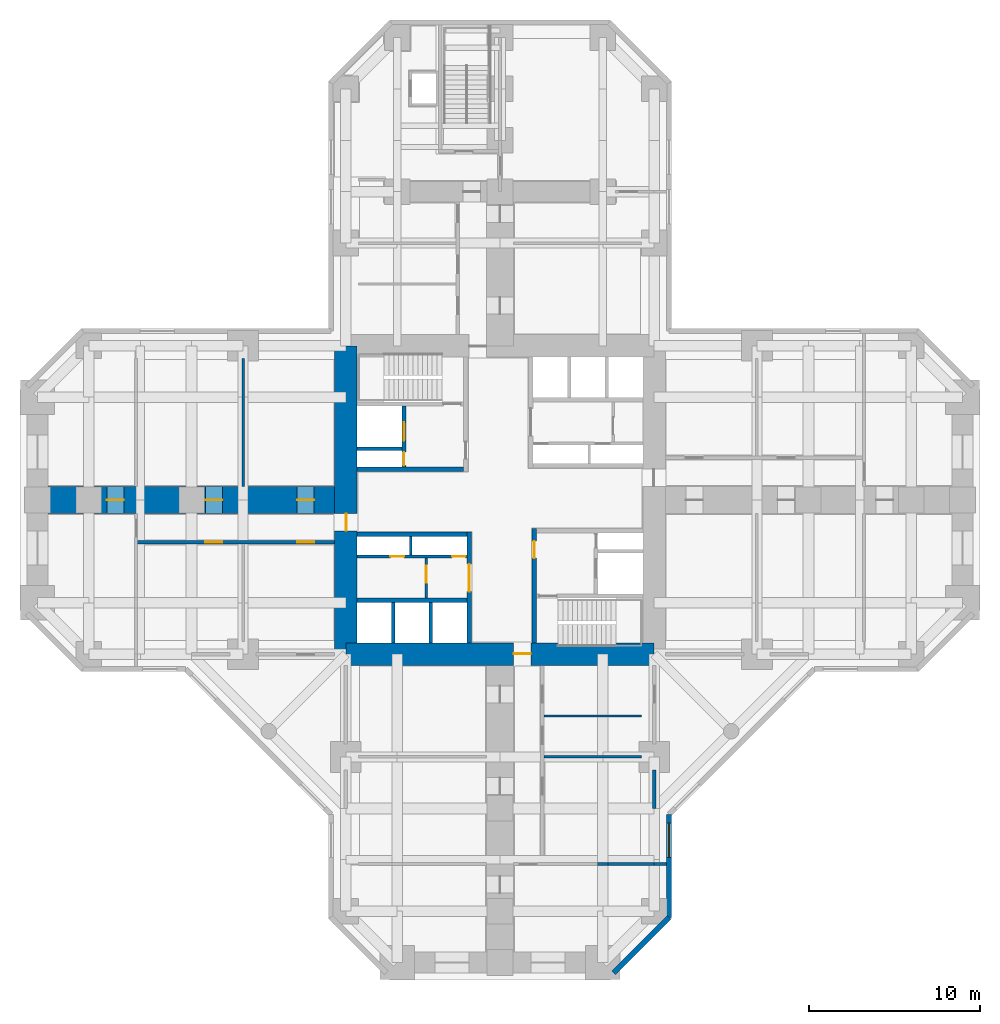
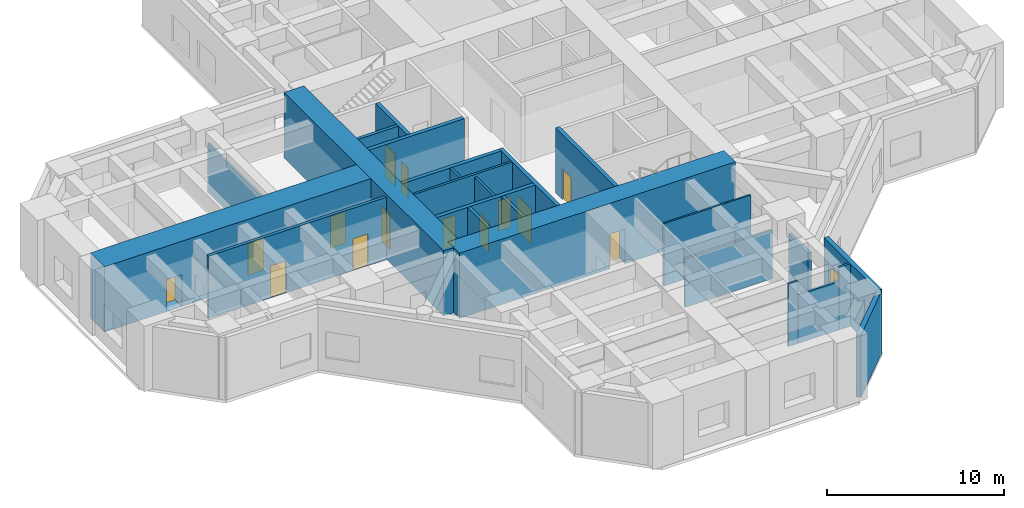
# One storey, part 4 of 8: 25 walls, 14 doors, 1 window, 15 openings.
"""IFC4 building model written with IfcOpenShell, lengths in metres."""

from ifc_helpers import new_model, si_unit, direction, frame, frame_2d, origin, place, context, subcontext, project, spatial, rectangle, hollow_rectangle, extrude, material, layer, layer_set, constituent, constituent_set, type_object, element, fill, save


model = new_model("IFC4")

# Units and contexts
model_context = context("Model", 3, precision=1e-05, world=origin(), true_north=direction((0.0, 1.0)))
body_context = subcontext(model_context, "Body", "Model", "MODEL_VIEW")
ifc_project = project(units=[si_unit("LENGTHUNIT", "METRE"), si_unit("AREAUNIT", "SQUARE_METRE"), si_unit("VOLUMEUNIT", "CUBIC_METRE"), si_unit("PLANEANGLEUNIT", "RADIAN"), si_unit("MASSUNIT", "GRAM", prefix="KILO")], contexts=[model_context])

# Site, building, storey
site_placement = place(None, origin())
site = spatial("IfcSite", under=ifc_project, at=site_placement, CompositionType="ELEMENT")
building_placement = place(site_placement, origin())
building = spatial("IfcBuilding", under=site, at=building_placement, Name="Torre Cruceta", CompositionType="ELEMENT")
storey_placement = place(building_placement, frame((0.0, 0.0, 9.5)))
storey = spatial("IfcBuildingStorey", under=building, at=storey_placement, Name="L02", CompositionType="ELEMENT", Elevation=9.5)

# Wall
ifc_material_1 = material(Name="Concrete G60 (fck 60 MPa)", Category="concrete")
ifc_layer_1 = layer(ifc_material_1, 0.25)
ifc_layer_set_1 = layer_set([ifc_layer_1], Name="Concrete G60 (fck 60 MPa)")
wall_type_1 = type_object("IfcWallType", Name="CORE INNER WALL 250 G60", PredefinedType="SHEAR", material=ifc_layer_set_1)
wall_1_placement = place(storey_placement, frame((-2.125, 1.800048828125, 0.0), z_axis=(0.0, 0.0, 1.0), x_axis=(-1.0, 0.0, 0.0)))
element("IfcWall", 1, at=wall_1_placement, inside=storey, type_object=wall_type_1, Name="CW4 L02 NW-CV", PredefinedType="SHEAR", context=body_context, shape_type="SweptSolid", body=[
    extrude(rectangle(XDim=6.22509765625, YDim=0.25, at=frame_2d((3.112548828125, 0.0))), origin(), (0.0, 0.0, 1.0), 4.5),
])

# Wall, openings, doors
wall_2_placement = place(storey_placement, frame((-5.60009765625, 1.925048828125, 0.0), z_axis=(0.0, 0.0, 1.0), x_axis=(0.0, 1.0, 0.0)))
wall_2 = element("IfcWall", 2, at=wall_2_placement, inside=storey, type_object=wall_type_1, Name="CW4 L02 NW-FU", PredefinedType="SHEAR", context=body_context, shape_type="SweptSolid", body=[
    extrude(rectangle(XDim=3.550048828125, YDim=0.25, at=frame_2d((1.77490234375, 0.0))), origin(), (0.0, 0.0, 1.0), 4.5),
])
opening_1_placement = place(wall_2_placement, frame((1.52490234375, 0.0, 0.0)))
opening_1 = element("IfcOpeningElement", 3, at=opening_1_placement, cuts=wall_2, Name="Opening LD1", PredefinedType="OPENING", context=body_context, shape_type="SweptSolid", body=[
    extrude(rectangle(XDim=1.10009765625, YDim=2.199951171875, at=frame_2d((0.550048828125, 1.10009765625))), frame((0.0, 0.135009765625, 0.0), z_axis=(0.0, -1.0, 0.0), x_axis=(1.0, 0.0, 0.0)), (0.0, 0.0, 1.0), 0.27001953125),
])
opening_2_placement = place(wall_2_placement, frame((0.074951171875, 0.0, 0.0)))
opening_2 = element("IfcOpeningElement", 4, at=opening_2_placement, cuts=wall_2, Name="Opening D5", PredefinedType="OPENING", context=body_context, shape_type="SweptSolid", body=[
    extrude(rectangle(XDim=0.800048828125, YDim=2.10009765625, at=frame_2d((0.39990234375, 1.050048828125))), frame((0.0, 0.135009765625, 0.0), z_axis=(0.0, -1.0, 0.0), x_axis=(1.0, 0.0, 0.0)), (0.0, 0.0, 1.0), 0.27001953125),
])
ifc_material_2 = material(Name="Stainless steel 1.4401", Category="steel")
door_type_1 = type_object("IfcDoorType", Name="LIFT LANDING DOOR 1100X2200", OperationType="DOUBLE_DOOR_SLIDING", PredefinedType="DOOR", material=ifc_material_2)
door_1_placement = place(opening_1_placement, origin())
door_1 = element("IfcDoor", 5, at=door_1_placement, inside=storey, type_object=door_type_1, Name="Lift landing door FL1", OperationType="DOUBLE_DOOR_SLIDING", OverallHeight=2.199951171875, OverallWidth=1.10009765625, PredefinedType="DOOR", context=body_context, shape_type="SweptSolid", body=[
    extrude(rectangle(XDim=1.10009765625, YDim=2.199951171875, at=frame_2d((0.550048828125, 1.10009765625))), frame((0.0, 0.02490234375, 0.0), z_axis=(0.0, -1.0, 0.0), x_axis=(1.0, 0.0, 0.0)), (0.0, 0.0, 1.0), 0.050048828125),
])
fill(opening_1, door_1)
ifc_material_3 = material(Name="Steel DX51D", Category="steel")
ifc_constituent_1 = constituent(ifc_material_3, Name="Leaf and frame")
ifc_material_4 = material(Name="Polyester powder coating", Category="paint")
ifc_constituent_2 = constituent(ifc_material_4, Name="Finish")
ifc_constituent_set_1 = constituent_set(constituents=[ifc_constituent_1, ifc_constituent_2], Name="Steel fire door")
door_type_2 = type_object("IfcDoorType", Name="RISER ACCESS DOOR 800X2100", OperationType="SINGLE_SWING_LEFT", PredefinedType="DOOR", material=ifc_constituent_set_1)
door_2_placement = place(opening_2_placement, origin())
door_2 = element("IfcDoor", 6, at=door_2_placement, inside=storey, type_object=door_type_2, Name="D5 L02 NW-RISER", OperationType="SINGLE_SWING_LEFT", OverallHeight=2.10009765625, OverallWidth=0.800048828125, PredefinedType="DOOR", context=body_context, shape_type="SweptSolid", body=[
    extrude(rectangle(XDim=0.800048828125, YDim=2.10009765625, at=frame_2d((0.39990234375, 1.050048828125))), frame((0.0, 0.02490234375, 0.0), z_axis=(0.0, -1.0, 0.0), x_axis=(1.0, 0.0, 0.0)), (0.0, 0.0, 1.0), 0.050048828125),
])
fill(opening_2, door_2)

# Wall, opening, door
wall_3_placement = place(storey_placement, frame((-1.800048828125, -1.875, 0.0), z_axis=(0.0, 0.0, 1.0), x_axis=(0.0, -1.0, 0.0)))
wall_3 = element("IfcWall", 7, at=wall_3_placement, inside=storey, type_object=wall_type_1, Name="CW4 L02 SW-CU", PredefinedType="SHEAR", context=body_context, shape_type="SweptSolid", body=[
    extrude(rectangle(XDim=6.47509765625, YDim=0.25, at=frame_2d((3.237548828125, 0.0))), origin(), (0.0, 0.0, 1.0), 4.5),
])
opening_3_placement = place(wall_3_placement, frame((1.875, 0.0, 0.0)))
opening_3 = element("IfcOpeningElement", 8, at=opening_3_placement, cuts=wall_3, Name="Opening D15", PredefinedType="OPENING", context=body_context, shape_type="SweptSolid", body=[
    extrude(rectangle(XDim=1.60009765625, YDim=2.39990234375, at=frame_2d((0.800048828125, 1.199951171875))), frame((0.0, 0.135009765625, 0.0), z_axis=(0.0, -1.0, 0.0), x_axis=(1.0, 0.0, 0.0)), (0.0, 0.0, 1.0), 0.27001953125),
])
ifc_material_5 = material(Name="Steel DX51D", Category="steel")
ifc_constituent_3 = constituent(ifc_material_5, Name="Leaf and frame")
ifc_material_6 = material(Name="Polyester powder coating", Category="paint")
ifc_constituent_4 = constituent(ifc_material_6, Name="Finish")
ifc_constituent_set_2 = constituent_set(constituents=[ifc_constituent_3, ifc_constituent_4], Name="Steel fire door")
door_type_3 = type_object("IfcDoorType", Name="CORE ROOM DOUBLE DOOR 1600X2400", OperationType="DOUBLE_DOOR_SINGLE_SWING", PredefinedType="DOOR", material=ifc_constituent_set_2)
door_3_placement = place(opening_3_placement, frame((1.60009765625, 0.0, 0.0), z_axis=(0.0, 0.0, 1.0), x_axis=(-1.0, 0.0, 0.0)))
door_3 = element("IfcDoor", 9, at=door_3_placement, inside=storey, type_object=door_type_3, Name="D15 L02 SW-LOBBY", OperationType="DOUBLE_DOOR_SINGLE_SWING", OverallHeight=2.39990234375, OverallWidth=1.60009765625, PredefinedType="DOOR", context=body_context, shape_type="SweptSolid", body=[
    extrude(rectangle(XDim=1.60009765625, YDim=2.39990234375, at=frame_2d((0.800048828125, 1.199951171875))), frame((0.0, 0.025146484375, 0.0), z_axis=(0.0, -1.0, 0.0), x_axis=(1.0, 0.0, 0.0)), (0.0, 0.0, 1.0), 0.050048828125),
])
fill(opening_3, door_3)

# Walls
for number, where, z_axis, x_axis, name in (
    (10, (-1.925048828125, -2.0, 0.0), (0.0, 0.0, 1.0), (-1.0, 0.0, 0.0), "CW4 L02 SW-CV"),
    (11, (-1.925048828125, -5.85009765625, 0.0), (0.0, 0.0, 1.0), (-1.0, 0.0, 0.0), "CW4 L02 SW-LV"),
):
    element("IfcWall", number, at=place(storey_placement, frame(where, z_axis=z_axis, x_axis=x_axis)), inside=storey, type_object=wall_type_1, Name=name, PredefinedType="SHEAR", context=body_context, shape_type="SweptSolid", body=[
        extrude(rectangle(XDim=6.425048828125, YDim=0.25, at=frame_2d((3.21240234375, 0.0))), origin(), (0.0, 0.0, 1.0), 4.5),
    ])

# Wall, opening, door
wall_4_placement = place(storey_placement, frame((2.0, -1.675048828125, 0.0), z_axis=(0.0, 0.0, 1.0), x_axis=(0.0, -1.0, 0.0)))
wall_4 = element("IfcWall", 12, at=wall_4_placement, inside=storey, type_object=wall_type_1, Name="CW4 L02 SE-CU", PredefinedType="SHEAR", context=body_context, shape_type="SweptSolid", body=[
    extrude(rectangle(XDim=6.675048828125, YDim=0.25, at=frame_2d((3.33740234375, 0.0))), origin(), (0.0, 0.0, 1.0), 4.5),
])
opening_4_placement = place(wall_4_placement, frame((0.72509765625, 0.0, 0.0)))
opening_4 = element("IfcOpeningElement", 13, at=opening_4_placement, cuts=wall_4, Name="Opening D3", PredefinedType="OPENING", context=body_context, shape_type="SweptSolid", body=[
    extrude(rectangle(XDim=1.0, YDim=2.10009765625, at=frame_2d((0.5, 1.050048828125))), frame((0.0, 0.135009765625, 0.0), z_axis=(0.0, -1.0, 0.0), x_axis=(1.0, 0.0, 0.0)), (0.0, 0.0, 1.0), 0.27001953125),
])
ifc_material_7 = material(Name="Steel DX51D", Category="steel")
ifc_constituent_5 = constituent(ifc_material_7, Name="Leaf and frame")
ifc_material_8 = material(Name="Polyester powder coating", Category="paint")
ifc_constituent_6 = constituent(ifc_material_8, Name="Finish")
ifc_constituent_set_3 = constituent_set(constituents=[ifc_constituent_5, ifc_constituent_6], Name="Steel fire door")
door_type_4 = type_object("IfcDoorType", Name="FIRE DOOR 1000X2100", OperationType="SINGLE_SWING_LEFT", PredefinedType="DOOR", material=ifc_constituent_set_3)
door_4_placement = place(opening_4_placement, origin())
door_4 = element("IfcDoor", 14, at=door_4_placement, inside=storey, type_object=door_type_4, Name="D3 L02 SE-LOBBY", OperationType="SINGLE_SWING_LEFT", OverallHeight=2.10009765625, OverallWidth=1.0, PredefinedType="DOOR", context=body_context, shape_type="SweptSolid", body=[
    extrude(rectangle(XDim=1.0, YDim=2.10009765625, at=frame_2d((0.5, 1.050048828125))), frame((0.0, 0.02490234375, 0.0), z_axis=(0.0, -1.0, 0.0), x_axis=(1.0, 0.0, 0.0)), (0.0, 0.0, 1.0), 0.050048828125),
])
fill(opening_4, door_4)

ifc_material_9 = material(Name="Concrete G60 (fck 60 MPa)", Category="concrete")
ifc_layer_2 = layer(ifc_material_9, 1.300048828125)
ifc_layer_set_2 = layer_set([ifc_layer_2], Name="Concrete G60 (fck 60 MPa)")
wall_type_2 = type_object("IfcWallType", Name="CORE WALL 1300 G60", PredefinedType="SHEAR", material=ifc_layer_set_2)
wall_5_placement = place(storey_placement, frame((-9.0, -9.0, 0.0), z_axis=(0.0, 0.0, 1.0), x_axis=(1.0, 0.0, 0.0)))
wall_5 = element("IfcWall", 15, at=wall_5_placement, inside=storey, type_object=wall_type_2, Name="CW1 L02 CW-S", PredefinedType="SHEAR", context=body_context, shape_type="SweptSolid", body=[
    extrude(rectangle(XDim=18.0, YDim=1.300048828125, at=frame_2d((9.0, 0.0))), origin(), (0.0, 0.0, 1.0), 4.5),
])
opening_5_placement = place(wall_5_placement, frame((9.800048828125, 0.0, 0.0)))
opening_5 = element("IfcOpeningElement", 16, at=opening_5_placement, cuts=wall_5, Name="Opening D4", PredefinedType="OPENING", context=body_context, shape_type="SweptSolid", body=[
    extrude(rectangle(XDim=1.0, YDim=2.39990234375, at=frame_2d((0.5, 1.199951171875))), frame((0.0, 0.659912109375, 0.0), z_axis=(0.0, -1.0, 0.0), x_axis=(1.0, 0.0, 0.0)), (0.0, 0.0, 1.0), 1.320068359375),
])
ifc_material_10 = material(Name="Steel DX51D", Category="steel")
ifc_constituent_7 = constituent(ifc_material_10, Name="Leaf and frame")
ifc_material_11 = material(Name="Polyester powder coating", Category="paint")
ifc_constituent_8 = constituent(ifc_material_11, Name="Finish")
ifc_constituent_set_4 = constituent_set(constituents=[ifc_constituent_7, ifc_constituent_8], Name="Steel fire door")
door_type_5 = type_object("IfcDoorType", Name="CORE ARM DOOR 1000X2400", OperationType="SINGLE_SWING_RIGHT", PredefinedType="DOOR", material=ifc_constituent_set_4)
door_5_placement = place(opening_5_placement, origin())
door_5 = element("IfcDoor", 17, at=door_5_placement, inside=storey, type_object=door_type_5, Name="D4 L02 CW-S", OperationType="SINGLE_SWING_RIGHT", OverallHeight=2.39990234375, OverallWidth=1.0, PredefinedType="DOOR", context=body_context, shape_type="SweptSolid", body=[
    extrude(rectangle(XDim=1.0, YDim=2.39990234375, at=frame_2d((0.5, 1.199951171875))), frame((0.0, 0.05517578125, 0.0), z_axis=(0.0, -1.0, 0.0), x_axis=(1.0, 0.0, 0.0)), (0.0, 0.0, 1.0), 0.050048828125),
])
fill(opening_5, door_5)

wall_6_placement = place(storey_placement, frame((-9.0, 9.0, 0.0), z_axis=(0.0, 0.0, 1.0), x_axis=(0.0, -1.0, 0.0)))
wall_6 = element("IfcWall", 18, at=wall_6_placement, inside=storey, type_object=wall_type_2, Name="CW1 L02 CW-W", PredefinedType="SHEAR", context=body_context, shape_type="SweptSolid", body=[
    extrude(rectangle(XDim=18.0, YDim=1.300048828125, at=frame_2d((9.0, 0.0))), origin(), (0.0, 0.0, 1.0), 4.5),
])
opening_6_placement = place(wall_6_placement, frame((9.800048828125, 0.0, 0.0)))
opening_6 = element("IfcOpeningElement", 19, at=opening_6_placement, cuts=wall_6, Name="Opening D4", PredefinedType="OPENING", context=body_context, shape_type="SweptSolid", body=[
    extrude(rectangle(XDim=1.0, YDim=2.39990234375, at=frame_2d((0.5, 1.199951171875))), frame((0.0, 0.659912109375, 0.0), z_axis=(0.0, -1.0, 0.0), x_axis=(1.0, 0.0, 0.0)), (0.0, 0.0, 1.0), 1.320068359375),
])
door_6_placement = place(opening_6_placement, origin())
door_6 = element("IfcDoor", 20, at=door_6_placement, inside=storey, type_object=door_type_5, Name="D4 L02 CW-W", OperationType="SINGLE_SWING_RIGHT", OverallHeight=2.39990234375, OverallWidth=1.0, PredefinedType="DOOR", context=body_context, shape_type="SweptSolid", body=[
    extrude(rectangle(XDim=1.0, YDim=2.39990234375, at=frame_2d((0.5, 1.199951171875))), frame((0.0, 0.05517578125, 0.0), z_axis=(0.0, -1.0, 0.0), x_axis=(1.0, 0.0, 0.0)), (0.0, 0.0, 1.0), 0.050048828125),
])
fill(opening_6, door_6)

# Wall, openings, doors
ifc_material_12 = material(Name="Concrete G25 (fck 25 MPa)", Category="concrete")
ifc_layer_3 = layer(ifc_material_12, 0.199951171875)
ifc_layer_set_3 = layer_set([ifc_layer_3], Name="Concrete G25 (fck 25 MPa)")
wall_type_3 = type_object("IfcWallType", Name="CORRIDOR WALL 200", PredefinedType="SOLIDWALL", material=ifc_layer_set_3)
wall_7_placement = place(storey_placement, frame((-9.64990234375, -2.47509765625, 0.0), z_axis=(0.0, 0.0, 1.0), x_axis=(-1.0, 0.0, 0.0)))
wall_7 = element("IfcWall", 21, at=wall_7_placement, inside=storey, type_object=wall_type_3, Name="PT3 L02-W-CL", PredefinedType="SOLIDWALL", context=body_context, shape_type="SweptSolid", body=[
    extrude(rectangle(XDim=11.60009765625, YDim=0.199951171875, at=frame_2d((5.800048828125, 0.0))), origin(), (0.0, 0.0, 1.0), 4.300048828125),
])
opening_7_placement = place(wall_7_placement, frame((1.199951171875, 0.0, 0.0)))
opening_7 = element("IfcOpeningElement", 22, at=opening_7_placement, cuts=wall_7, Name="Opening D14", PredefinedType="OPENING", context=body_context, shape_type="SweptSolid", body=[
    extrude(rectangle(XDim=1.0, YDim=2.199951171875, at=frame_2d((0.5, 1.10009765625))), frame((0.0, 0.10986328125, 0.0), z_axis=(0.0, -1.0, 0.0), x_axis=(1.0, 0.0, 0.0)), (0.0, 0.0, 1.0), 0.219970703125),
])
opening_8_placement = place(wall_7_placement, frame((6.550048828125, 0.0, 0.0)))
opening_8 = element("IfcOpeningElement", 23, at=opening_8_placement, cuts=wall_7, Name="Opening D14", PredefinedType="OPENING", context=body_context, shape_type="SweptSolid", body=[
    extrude(rectangle(XDim=1.0, YDim=2.199951171875, at=frame_2d((0.5, 1.10009765625))), frame((0.0, 0.10986328125, 0.0), z_axis=(0.0, -1.0, 0.0), x_axis=(1.0, 0.0, 0.0)), (0.0, 0.0, 1.0), 0.219970703125),
])
ifc_material_13 = material(Name="Steel DX51D", Category="steel")
ifc_constituent_9 = constituent(ifc_material_13, Name="Leaf and frame")
ifc_material_14 = material(Name="Polyester powder coating", Category="paint")
ifc_constituent_10 = constituent(ifc_material_14, Name="Finish")
ifc_material_15 = material(Name="Fire-resisting glass", Category="glass")
ifc_constituent_11 = constituent(ifc_material_15, Name="Vision panel")
ifc_constituent_set_5 = constituent_set(constituents=[ifc_constituent_9, ifc_constituent_10, ifc_constituent_11], Name="Steel fire door with vision panel")
door_type_6 = type_object("IfcDoorType", Name="FIRE DOOR VISION PANEL 1000X2200", OperationType="SINGLE_SWING_RIGHT", PredefinedType="DOOR", material=ifc_constituent_set_5)
door_7_placement = place(opening_7_placement, origin())
door_7 = element("IfcDoor", 24, at=door_7_placement, inside=storey, type_object=door_type_6, Name="D14 L02-W-CL-D1", OperationType="SINGLE_SWING_LEFT", OverallHeight=2.199951171875, OverallWidth=1.0, PredefinedType="DOOR", context=body_context, shape_type="SweptSolid", body=[
    extrude(rectangle(XDim=1.0, YDim=2.199951171875, at=frame_2d((0.5, 1.10009765625))), frame((0.0, 0.02490234375, 0.0), z_axis=(0.0, -1.0, 0.0), x_axis=(1.0, 0.0, 0.0)), (0.0, 0.0, 1.0), 0.050048828125),
])
fill(opening_7, door_7)
door_8_placement = place(opening_8_placement, origin())
door_8 = element("IfcDoor", 25, at=door_8_placement, inside=storey, type_object=door_type_6, Name="D14 L02-W-CL-D2", OperationType="SINGLE_SWING_LEFT", OverallHeight=2.199951171875, OverallWidth=1.0, PredefinedType="DOOR", context=body_context, shape_type="SweptSolid", body=[
    extrude(rectangle(XDim=1.0, YDim=2.199951171875, at=frame_2d((0.5, 1.10009765625))), frame((0.0, 0.02490234375, 0.0), z_axis=(0.0, -1.0, 0.0), x_axis=(1.0, 0.0, 0.0)), (0.0, 0.0, 1.0), 0.050048828125),
])
fill(opening_8, door_8)

# Wall
ifc_material_16 = material(Name="Concrete G30 (fck 30 MPa)", Category="concrete")
ifc_layer_4 = layer(ifc_material_16, 0.300048828125)
ifc_layer_set_4 = layer_set([ifc_layer_4], Name="Concrete G30 (fck 30 MPa)")
wall_type_4 = type_object("IfcWallType", Name="EXPOSED CONCRETE FACADE WALL 300", PredefinedType="SOLIDWALL", material=ifc_layer_set_4)
wall_8_placement = place(storey_placement, frame((6.63037109375, -27.60009765625, 0.0), z_axis=(0.0, 0.0, 1.0), x_axis=(0.707106781187, 0.707106781187, 0.0)))
element("IfcWall", 26, at=wall_8_placement, inside=storey, type_object=wall_type_4, Name="EW1 facade wall L02 S chamfer 19", PredefinedType="SOLIDWALL", context=body_context, shape_type="SweptSolid", body=[
    extrude(rectangle(XDim=4.581787109375, YDim=0.300048828125, at=frame_2d((2.291015625, 0.0))), origin(), (0.0, 0.0, 1.0), 4.300048828125),
])

# Wall, opening, window
wall_9_placement = place(storey_placement, frame((9.8701171875, -24.3603515625, 0.0), z_axis=(0.0, 0.0, 1.0), x_axis=(0.0, 1.0, 0.0)))
wall_9 = element("IfcWall", 27, at=wall_9_placement, inside=storey, type_object=wall_type_4, Name="EW1 facade wall L02 S side 20", PredefinedType="SOLIDWALL", context=body_context, shape_type="SweptSolid", body=[
    extrude(rectangle(XDim=6.0, YDim=0.300048828125, at=frame_2d((3.0, 0.0))), origin(), (0.0, 0.0, 1.0), 4.300048828125),
])
opening_9_placement = place(wall_9_placement, frame((3.5, 0.0, 0.89990234375)))
opening_9 = element("IfcOpeningElement", 28, at=opening_9_placement, cuts=wall_9, Name="Opening WN1", PredefinedType="OPENING", context=body_context, shape_type="SweptSolid", body=[
    extrude(rectangle(XDim=2.0, YDim=1.800048828125, at=frame_2d((1.0, 0.89990234375))), frame((0.0, 0.159912109375, 0.0), z_axis=(0.0, -1.0, 0.0), x_axis=(1.0, 0.0, 0.0)), (0.0, 0.0, 1.0), 0.320068359375),
])
ifc_material_17 = material(Name="Aluminium window frame", Category="aluminium")
ifc_constituent_12 = constituent(ifc_material_17, Name="Frame")
ifc_material_18 = material(Name="Laminated insulating glass unit, low-iron clear", Category="glass")
ifc_constituent_13 = constituent(ifc_material_18, Name="Glazing")
ifc_constituent_set_6 = constituent_set(constituents=[ifc_constituent_12, ifc_constituent_13], Name="Aluminium window")
window_type = type_object("IfcWindowType", Name="SCHOOL WINDOW 2000X1800", PartitioningType="SINGLE_PANEL", PredefinedType="WINDOW", material=ifc_constituent_set_6)
window_placement = place(opening_9_placement, origin())
window = element("IfcWindow", 29, at=window_placement, inside=storey, type_object=window_type, Name="WN1 L02 S 2", OverallHeight=1.800048828125, OverallWidth=2.0, PartitioningType="SINGLE_PANEL", PredefinedType="WINDOW", context=body_context, shape_type="SweptSolid", body=[
    extrude(hollow_rectangle(XDim=2.0, YDim=1.800048828125, WallThickness=0.06005859375, at=frame_2d((1.0, 0.89990234375))), frame((0.0, 0.030029296875, 0.0), z_axis=(0.0, -1.0, 0.0), x_axis=(1.0, 0.0, 0.0)), (0.0, 0.0, 1.0), 0.06005859375),
    extrude(rectangle(XDim=1.87890625, YDim=1.678955078125, at=frame_2d((1.0, 0.89990234375))), frame((0.0, 0.030029296875, 0.0), z_axis=(0.0, -1.0, 0.0), x_axis=(1.0, 0.0, 0.0)), (0.0, 0.0, 1.0), 0.06005859375),
])
fill(opening_9, window)

# Walls
ifc_material_19 = material(Name="Concrete G35 (fck 35 MPa)", Category="concrete")
ifc_layer_5 = layer(ifc_material_19, 0.199951171875)
ifc_layer_set_5 = layer_set([ifc_layer_5], Name="Concrete G35 (fck 35 MPa)")
wall_type_5 = type_object("IfcWallType", Name="LIFT SHAFT WALL 200", PredefinedType="PARTITIONING", material=ifc_layer_set_5)
wall_10_placement = place(storey_placement, frame((-5.72509765625, 3.0, 0.0), z_axis=(0.0, 0.0, 1.0), x_axis=(-1.0, 0.0, 0.0)))
element("IfcWall", 30, at=wall_10_placement, inside=storey, type_object=wall_type_5, Name="SW1 L02 NW-FR", PredefinedType="PARTITIONING", context=body_context, shape_type="SweptSolid", body=[
    extrude(rectangle(XDim=2.625, YDim=0.199951171875, at=frame_2d((1.3125, 0.0))), origin(), (0.0, 0.0, 1.0), 4.5),
])
for number, where, z_axis, x_axis, name in (
    (31, (-4.033447265625, -5.97509765625, 0.0), (0.0, 0.0, 1.0), (0.0, -1.0, 0.0), "SW1 L02 SW-LS1"),
    (32, (-6.24169921875, -5.97509765625, 0.0), (0.0, 0.0, 1.0), (0.0, -1.0, 0.0), "SW1 L02 SW-LS2"),
):
    element("IfcWall", number, at=place(storey_placement, frame(where, z_axis=z_axis, x_axis=x_axis)), inside=storey, type_object=wall_type_5, Name=name, PredefinedType="PARTITIONING", context=body_context, shape_type="SweptSolid", body=[
        extrude(rectangle(XDim=2.375, YDim=0.199951171875, at=frame_2d((1.1875, 0.0))), origin(), (0.0, 0.0, 1.0), 4.5),
    ])

# Wall, opening, door
ifc_material_20 = material(Name="Plasterboard on steel studs", Category="steel")
ifc_layer_6 = layer(ifc_material_20, 0.14990234375)
ifc_layer_set_6 = layer_set([ifc_layer_6], Name="Plasterboard on steel studs")
wall_type_6 = type_object("IfcWallType", Name="PARTITION 150", PredefinedType="PARTITIONING", material=ifc_layer_set_6)
wall_11_placement = place(storey_placement, frame((-4.300048828125, -3.375, 0.0), z_axis=(0.0, 0.0, 1.0), x_axis=(0.0, -1.0, 0.0)))
wall_11 = element("IfcWall", 33, at=wall_11_placement, inside=storey, type_object=wall_type_6, Name="PT1 L02-CORE-SW-X", PredefinedType="PARTITIONING", context=body_context, shape_type="SweptSolid", body=[
    extrude(rectangle(XDim=2.35009765625, YDim=0.14990234375, at=frame_2d((1.175048828125, 0.0))), origin(), (0.0, 0.0, 1.0), 4.300048828125),
])
opening_10_placement = place(wall_11_placement, frame((0.449951171875, 0.0, 0.0)))
opening_10 = element("IfcOpeningElement", 34, at=opening_10_placement, cuts=wall_11, Name="Opening D3", PredefinedType="OPENING", context=body_context, shape_type="SweptSolid", body=[
    extrude(rectangle(XDim=1.0, YDim=2.10009765625, at=frame_2d((0.5, 1.050048828125))), frame((0.0, 0.0849609375, 0.0), z_axis=(0.0, -1.0, 0.0), x_axis=(1.0, 0.0, 0.0)), (0.0, 0.0, 1.0), 0.169921875),
])
door_9_placement = place(opening_10_placement, origin())
door_9 = element("IfcDoor", 35, at=door_9_placement, inside=storey, type_object=door_type_4, Name="D3 L02-CORE-SW-X-D1", OperationType="SINGLE_SWING_LEFT", OverallHeight=2.10009765625, OverallWidth=1.0, PredefinedType="DOOR", context=body_context, shape_type="SweptSolid", body=[
    extrude(rectangle(XDim=1.0, YDim=2.10009765625, at=frame_2d((0.5, 1.050048828125))), frame((0.0, 0.02490234375, 0.0), z_axis=(0.0, -1.0, 0.0), x_axis=(1.0, 0.0, 0.0)), (0.0, 0.0, 1.0), 0.050048828125),
])
fill(opening_10, door_9)

# Walls
wall_12_placement = place(storey_placement, frame((2.574951171875, -15.0, 0.0), z_axis=(0.0, 0.0, 1.0), x_axis=(1.0, 0.0, 0.0)))
element("IfcWall", 36, at=wall_12_placement, inside=storey, type_object=wall_type_6, Name="PT1 L02-S-P1L", PredefinedType="PARTITIONING", context=body_context, shape_type="SweptSolid", body=[
    extrude(rectangle(XDim=5.675048828125, YDim=0.14990234375, at=frame_2d((2.83740234375, 0.0))), origin(), (0.0, 0.0, 1.0), 3.35009765625),
])
wall_13_placement = place(storey_placement, frame((5.699951171875, -21.25, 0.0), z_axis=(0.0, 0.0, 1.0), x_axis=(1.0, 0.0, 0.0)))
element("IfcWall", 37, at=wall_13_placement, inside=storey, type_object=wall_type_6, Name="PT1 L02-S-ENDb 2", PredefinedType="PARTITIONING", context=body_context, shape_type="SweptSolid", body=[
    extrude(rectangle(XDim=0.60009765625, YDim=0.14990234375, at=frame_2d((0.300048828125, 0.0))), origin(), (0.0, 0.0, 1.0), 4.300048828125),
])
wall_14_placement = place(storey_placement, frame((6.300048828125, -21.25, 0.0), z_axis=(0.0, 0.0, 1.0), x_axis=(1.0, 0.0, 0.0)))
element("IfcWall", 38, at=wall_14_placement, inside=storey, type_object=wall_type_6, Name="PT1 L02-S-ENDb 3", PredefinedType="PARTITIONING", context=body_context, shape_type="SweptSolid", body=[
    extrude(rectangle(XDim=2.699951171875, YDim=0.14990234375, at=frame_2d((1.35009765625, 0.0))), origin(), (0.0, 0.0, 1.0), 3.35009765625),
])
wall_15_placement = place(storey_placement, frame((9.0, -21.25, 0.0), z_axis=(0.0, 0.0, 1.0), x_axis=(1.0, 0.0, 0.0)))
element("IfcWall", 39, at=wall_15_placement, inside=storey, type_object=wall_type_6, Name="PT1 L02-S-ENDb 4", PredefinedType="PARTITIONING", context=body_context, shape_type="SweptSolid", body=[
    extrude(rectangle(XDim=0.719970703125, YDim=0.14990234375, at=frame_2d((0.35986328125, 0.0))), origin(), (0.0, 0.0, 1.0), 4.300048828125),
])
wall_16_placement = place(storey_placement, frame((-15.0, 8.25, 0.0), z_axis=(0.0, 0.0, 1.0), x_axis=(0.0, -1.0, 0.0)))
element("IfcWall", 40, at=wall_16_placement, inside=storey, type_object=wall_type_6, Name="PT1 L02-W-P1R", PredefinedType="PARTITIONING", context=body_context, shape_type="SweptSolid", body=[
    extrude(rectangle(XDim=7.449951171875, YDim=0.14990234375, at=frame_2d((3.72509765625, 0.0))), origin(), (0.0, 0.0, 1.0), 3.35009765625),
])

# Wall, openings, doors
ifc_material_21 = material(Name="Concrete block masonry", Category="masonry")
ifc_layer_7 = layer(ifc_material_21, 0.14990234375)
ifc_layer_set_7 = layer_set([ifc_layer_7], Name="Concrete block masonry")
wall_type_7 = type_object("IfcWallType", Name="RISER WALL 150", PredefinedType="PARTITIONING", material=ifc_layer_set_7)
wall_17_placement = place(storey_placement, frame((-1.925048828125, -3.300048828125, 0.0), z_axis=(0.0, 0.0, 1.0), x_axis=(-1.0, 0.0, 0.0)))
wall_17 = element("IfcWall", 41, at=wall_17_placement, inside=storey, type_object=wall_type_7, Name="SW7 L02 SW-RV", PredefinedType="PARTITIONING", context=body_context, shape_type="SweptSolid", body=[
    extrude(rectangle(XDim=6.425048828125, YDim=0.14990234375, at=frame_2d((3.21240234375, 0.0))), origin(), (0.0, 0.0, 1.0), 4.5),
])
opening_11_placement = place(wall_17_placement, frame((0.074951171875, 0.0, 0.0)))
opening_11 = element("IfcOpeningElement", 42, at=opening_11_placement, cuts=wall_17, Name="Opening D5", PredefinedType="OPENING", context=body_context, shape_type="SweptSolid", body=[
    extrude(rectangle(XDim=0.800048828125, YDim=2.10009765625, at=frame_2d((0.39990234375, 1.050048828125))), frame((0.0, 0.0849609375, 0.0), z_axis=(0.0, -1.0, 0.0), x_axis=(1.0, 0.0, 0.0)), (0.0, 0.0, 1.0), 0.169921875),
])
opening_12_placement = place(wall_17_placement, frame((3.675048828125, 0.0, 0.0)))
opening_12 = element("IfcOpeningElement", 43, at=opening_12_placement, cuts=wall_17, Name="Opening D5", PredefinedType="OPENING", context=body_context, shape_type="SweptSolid", body=[
    extrude(rectangle(XDim=0.800048828125, YDim=2.10009765625, at=frame_2d((0.39990234375, 1.050048828125))), frame((0.0, 0.0849609375, 0.0), z_axis=(0.0, -1.0, 0.0), x_axis=(1.0, 0.0, 0.0)), (0.0, 0.0, 1.0), 0.169921875),
])
door_10_placement = place(opening_11_placement, frame((0.800048828125, 0.0, 0.0), z_axis=(0.0, 0.0, 1.0), x_axis=(-1.0, 0.0, 0.0)))
door_10 = element("IfcDoor", 44, at=door_10_placement, inside=storey, type_object=door_type_2, Name="D5 L02 SW-RISER1", OperationType="SINGLE_SWING_RIGHT", OverallHeight=2.10009765625, OverallWidth=0.800048828125, PredefinedType="DOOR", context=body_context, shape_type="SweptSolid", body=[
    extrude(rectangle(XDim=0.800048828125, YDim=2.10009765625, at=frame_2d((0.400146484375, 1.050048828125))), frame((0.0, 0.025146484375, 0.0), z_axis=(0.0, -1.0, 0.0), x_axis=(1.0, 0.0, 0.0)), (0.0, 0.0, 1.0), 0.050048828125),
])
fill(opening_11, door_10)
door_11_placement = place(opening_12_placement, frame((0.800048828125, 0.0, 0.0), z_axis=(0.0, 0.0, 1.0), x_axis=(-1.0, 0.0, 0.0)))
door_11 = element("IfcDoor", 45, at=door_11_placement, inside=storey, type_object=door_type_2, Name="D5 L02 SW-RISER2", OperationType="SINGLE_SWING_RIGHT", OverallHeight=2.10009765625, OverallWidth=0.800048828125, PredefinedType="DOOR", context=body_context, shape_type="SweptSolid", body=[
    extrude(rectangle(XDim=0.800048828125, YDim=2.10009765625, at=frame_2d((0.400146484375, 1.050048828125))), frame((0.0, 0.025146484375, 0.0), z_axis=(0.0, -1.0, 0.0), x_axis=(1.0, 0.0, 0.0)), (0.0, 0.0, 1.0), 0.050048828125),
])
fill(opening_12, door_11)

# Wall
wall_18_placement = place(storey_placement, frame((-5.199951171875, -2.125, 0.0), z_axis=(0.0, 0.0, 1.0), x_axis=(0.0, -1.0, 0.0)))
element("IfcWall", 46, at=wall_18_placement, inside=storey, type_object=wall_type_7, Name="SW7 L02 SW-RU", PredefinedType="PARTITIONING", context=body_context, shape_type="SweptSolid", body=[
    extrude(rectangle(XDim=1.10009765625, YDim=0.14990234375, at=frame_2d((0.550048828125, 0.0))), origin(), (0.0, 0.0, 1.0), 4.5),
])

# Wall, openings, doors
ifc_material_22 = material(Name="Concrete G60 (fck 60 MPa)", Category="concrete")
ifc_layer_8 = layer(ifc_material_22, 1.60009765625)
ifc_layer_set_8 = layer_set([ifc_layer_8], Name="Concrete G60 (fck 60 MPa)")
wall_type_8 = type_object("IfcWallType", Name="SPINE WALL 1600 G60", PredefinedType="SHEAR", material=ifc_layer_set_8)
wall_19_placement = place(storey_placement, frame((-9.0, 0.0, 0.0), z_axis=(0.0, 0.0, 1.0), x_axis=(-1.0, 0.0, 0.0)))
wall_19 = element("IfcWall", 47, at=wall_19_placement, inside=storey, type_object=wall_type_8, Name="SW2 spine wall L02 W", PredefinedType="SHEAR", context=body_context, shape_type="SweptSolid", body=[
    extrude(rectangle(XDim=18.0, YDim=1.60009765625, at=frame_2d((9.0, 0.0))), origin(), (0.0, 0.0, 1.0), 4.5),
])
opening_13_placement = place(wall_19_placement, frame((1.85009765625, 0.0, 0.0)))
opening_13 = element("IfcOpeningElement", 48, at=opening_13_placement, cuts=wall_19, Name="Opening D14", PredefinedType="OPENING", context=body_context, shape_type="SweptSolid", body=[
    extrude(rectangle(XDim=1.0, YDim=2.199951171875, at=frame_2d((0.5, 1.10009765625))), frame((0.0, 0.81005859375, 0.0), z_axis=(0.0, -1.0, 0.0), x_axis=(1.0, 0.0, 0.0)), (0.0, 0.0, 1.0), 1.6201171875),
])
opening_14_placement = place(wall_19_placement, frame((7.199951171875, 0.0, 0.0)))
opening_14 = element("IfcOpeningElement", 49, at=opening_14_placement, cuts=wall_19, Name="Opening D14", PredefinedType="OPENING", context=body_context, shape_type="SweptSolid", body=[
    extrude(rectangle(XDim=1.0, YDim=2.199951171875, at=frame_2d((0.5, 1.10009765625))), frame((0.0, 0.81005859375, 0.0), z_axis=(0.0, -1.0, 0.0), x_axis=(1.0, 0.0, 0.0)), (0.0, 0.0, 1.0), 1.6201171875),
])
opening_15_placement = place(wall_19_placement, frame((12.949951171875, 0.0, 0.0)))
opening_15 = element("IfcOpeningElement", 50, at=opening_15_placement, cuts=wall_19, Name="Opening D14", PredefinedType="OPENING", context=body_context, shape_type="SweptSolid", body=[
    extrude(rectangle(XDim=1.0, YDim=2.199951171875, at=frame_2d((0.5, 1.10009765625))), frame((0.0, 0.81005859375, 0.0), z_axis=(0.0, -1.0, 0.0), x_axis=(1.0, 0.0, 0.0)), (0.0, 0.0, 1.0), 1.6201171875),
])
door_12_placement = place(opening_13_placement, frame((1.0, 0.0, 0.0), z_axis=(0.0, 0.0, 1.0), x_axis=(-1.0, 0.0, 0.0)))
door_12 = element("IfcDoor", 51, at=door_12_placement, inside=storey, type_object=door_type_6, Name="D14 L02-W-SP1", OperationType="SINGLE_SWING_RIGHT", OverallHeight=2.199951171875, OverallWidth=1.0, PredefinedType="DOOR", context=body_context, shape_type="SweptSolid", body=[
    extrude(rectangle(XDim=1.0, YDim=2.199951171875, at=frame_2d((0.5, 1.10009765625))), frame((0.0, 0.025146484375, 0.0), z_axis=(0.0, -1.0, 0.0), x_axis=(1.0, 0.0, 0.0)), (0.0, 0.0, 1.0), 0.050048828125),
])
fill(opening_13, door_12)
door_13_placement = place(opening_14_placement, frame((1.0, 0.0, 0.0), z_axis=(0.0, 0.0, 1.0), x_axis=(-1.0, 0.0, 0.0)))
door_13 = element("IfcDoor", 52, at=door_13_placement, inside=storey, type_object=door_type_6, Name="D14 L02-W-SP2", OperationType="SINGLE_SWING_RIGHT", OverallHeight=2.199951171875, OverallWidth=1.0, PredefinedType="DOOR", context=body_context, shape_type="SweptSolid", body=[
    extrude(rectangle(XDim=1.0, YDim=2.199951171875, at=frame_2d((0.5, 1.10009765625))), frame((0.0, 0.025146484375, 0.0), z_axis=(0.0, -1.0, 0.0), x_axis=(1.0, 0.0, 0.0)), (0.0, 0.0, 1.0), 0.050048828125),
])
fill(opening_14, door_13)
door_14_placement = place(opening_15_placement, origin())
door_14 = element("IfcDoor", 53, at=door_14_placement, inside=storey, type_object=door_type_6, Name="D14 L02-W-SP3", OperationType="SINGLE_SWING_RIGHT", OverallHeight=2.199951171875, OverallWidth=1.0, PredefinedType="DOOR", context=body_context, shape_type="SweptSolid", body=[
    extrude(rectangle(XDim=1.0, YDim=2.199951171875, at=frame_2d((0.5, 1.10009765625))), frame((0.0, 0.02490234375, 0.0), z_axis=(0.0, -1.0, 0.0), x_axis=(1.0, 0.0, 0.0)), (0.0, 0.0, 1.0), 0.050048828125),
])
fill(opening_15, door_14)

# Walls
ifc_material_23 = material(Name="Plasterboard on steel studs", Category="steel")
ifc_layer_9 = layer(ifc_material_23, 0.1201171875)
ifc_layer_set_9 = layer_set([ifc_layer_9], Name="Plasterboard on steel studs")
wall_type_9 = type_object("IfcWallType", Name="WC PARTITION 120", PredefinedType="PLUMBINGWALL", material=ifc_layer_set_9)
wall_20_placement = place(storey_placement, frame((2.574951171875, -12.60009765625, 0.0), z_axis=(0.0, 0.0, 1.0), x_axis=(1.0, 0.0, 0.0)))
element("IfcWall", 54, at=wall_20_placement, inside=storey, type_object=wall_type_9, Name="PT5 L02-S-U1LX", PredefinedType="PLUMBINGWALL", context=body_context, shape_type="SweptSolid", body=[
    extrude(rectangle(XDim=5.675048828125, YDim=0.1201171875, at=frame_2d((2.83740234375, 0.0))), origin(), (0.0, 0.0, 1.0), 4.300048828125),
])
ifc_material_24 = material(Name="Concrete G25 (fck 25 MPa)", Category="concrete")
ifc_layer_10 = layer(ifc_material_24, 0.199951171875)
ifc_layer_set_10 = layer_set([ifc_layer_10], Name="Concrete G25 (fck 25 MPa)")
wall_type_10 = type_object("IfcWallType", Name="WING SEPARATING WALL 200", PredefinedType="SOLIDWALL", material=ifc_layer_set_10)
wall_21_placement = place(storey_placement, frame((9.0, -15.75, 0.0), z_axis=(0.0, 0.0, 1.0), x_axis=(0.0, -1.0, 0.0)))
element("IfcWall", 55, at=wall_21_placement, inside=storey, type_object=wall_type_10, Name="PT6 L02-WING-S-A2", PredefinedType="SOLIDWALL", context=body_context, shape_type="SweptSolid", body=[
    extrude(rectangle(XDim=2.25, YDim=0.199951171875, at=frame_2d((1.125, 0.0))), origin(), (0.0, 0.0, 1.0), 3.300048828125),
])

save(model, "model.ifc")
